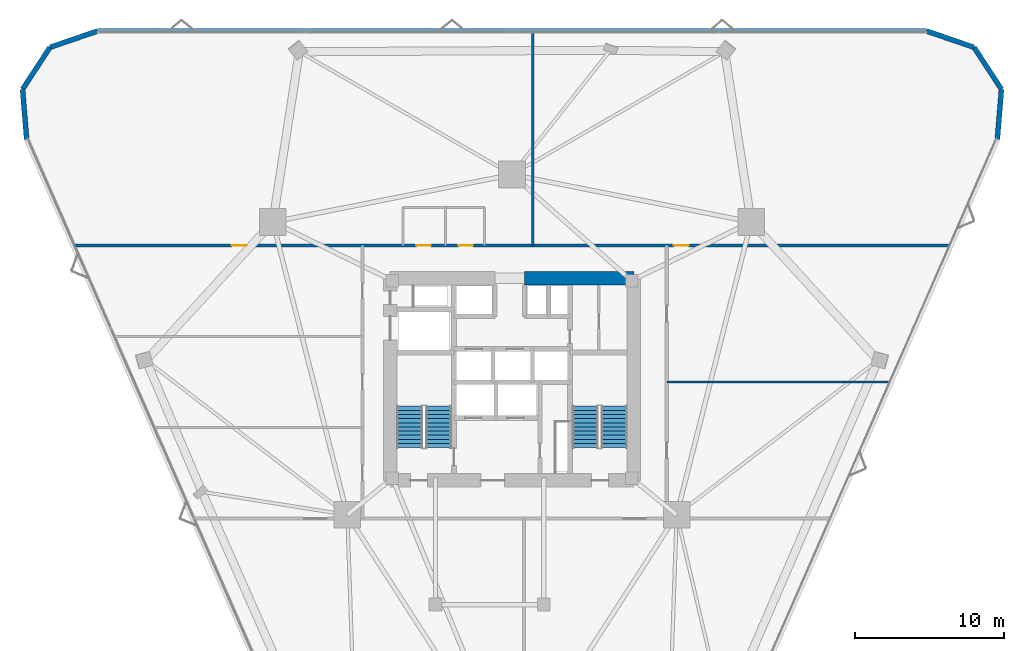
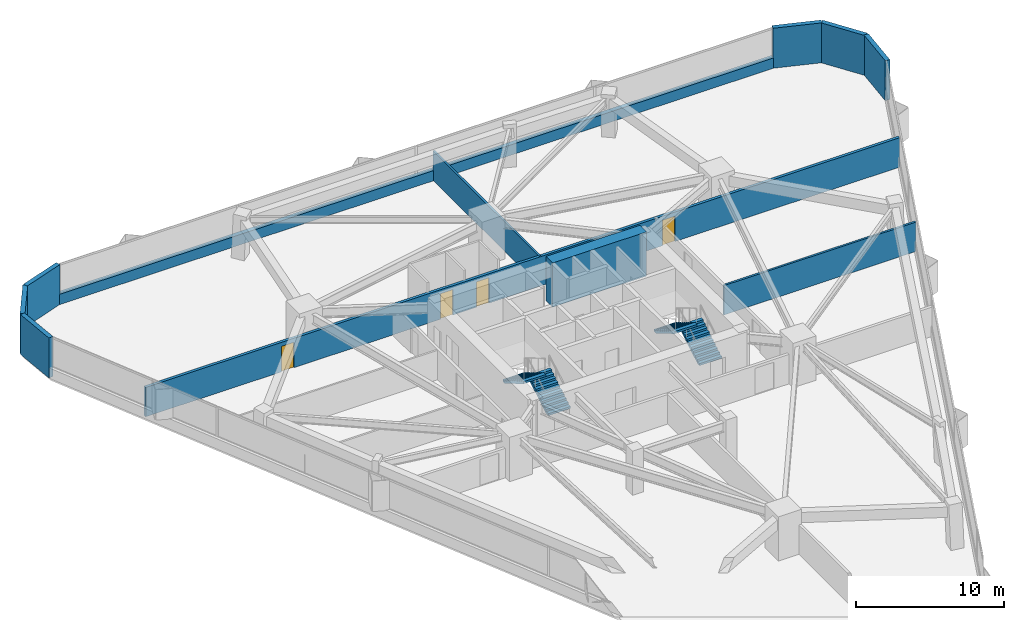
# One storey, part 19 of 20: 11 walls, 4 doors, 4 stair flights, 4 openings, 2 elements without a shape of their own.
"""IFC4 building model written with IfcOpenShell, lengths in metres."""

from ifc_helpers import new_model, si_unit, direction, frame, frame_2d, origin, place, context, subcontext, project, spatial, polyline, rectangle, outline, extrude, material, layer, layer_set, type_object, element, fill, aggregate, save


model = new_model("IFC4")

# Units and contexts
model_context = context("Model", 3, precision=1e-05, world=origin(), true_north=direction((0.0, 1.0)))
body_context = subcontext(model_context, "Body", "Model", "MODEL_VIEW")
ifc_project = project(units=[si_unit("LENGTHUNIT", "METRE"), si_unit("AREAUNIT", "SQUARE_METRE"), si_unit("VOLUMEUNIT", "CUBIC_METRE"), si_unit("PLANEANGLEUNIT", "RADIAN"), si_unit("MASSUNIT", "GRAM", prefix="KILO")], contexts=[model_context])

# Site, building, storey
site_placement = place(None, origin())
site = spatial("IfcSite", under=ifc_project, at=site_placement, CompositionType="ELEMENT")
building_placement = place(site_placement, origin())
building = spatial("IfcBuilding", under=site, at=building_placement, Name="Talyreon Biosciences Tower", CompositionType="ELEMENT")
storey_placement = place(building_placement, frame((0.0, 0.0, 62.949951171875)))
storey = spatial("IfcBuildingStorey", under=building, at=storey_placement, Name="L16", CompositionType="ELEMENT", Elevation=62.949951171875)

# Wall
ifc_material_1 = material(Name="Concrete C60/75", Category="concrete")
ifc_layer_1 = layer(ifc_material_1, 0.89990234375)
ifc_layer_set_1 = layer_set([ifc_layer_1], Name="Concrete C60/75")
wall_type_1 = type_object("IfcWallType", Name="CoreShearWall_900", PredefinedType="SHEAR", material=ifc_layer_set_1)
wall_1_placement = place(storey_placement, frame((74.199951171875, 74.800048828125, 0.0), z_axis=(0.0, 0.0, 1.0), x_axis=(-1.0, 0.0, 0.0)))
element("IfcWall", 1, at=wall_1_placement, inside=storey, type_object=wall_type_1, Name="L16 Core Shear Wall NE", PredefinedType="SHEAR", context=body_context, shape_type="SweptSolid", body=[
    extrude(rectangle(XDim=7.349853515625, YDim=0.89990234375, at=frame_2d((3.6748046875, 0.0))), origin(), (0.0, 0.0, 1.0), 3.650146484375),
])

# Wall, openings, doors
ifc_material_2 = material(Name="Gypsum fireboard acoustic stud", Category="gypsum")
ifc_layer_2 = layer(ifc_material_2, 0.219970703125)
ifc_layer_set_2 = layer_set([ifc_layer_2], Name="Gypsum fireboard acoustic stud")
wall_type_2 = type_object("IfcWallType", Name="CorridorRatedPartition_220", PredefinedType="PARTITIONING", material=ifc_layer_set_2)
wall_2_placement = place(storey_placement, frame((36.542724609375, 77.02001953125, 0.0), z_axis=(0.0, 0.0, 1.0), x_axis=(1.0, 0.0, 0.0)))
wall_2 = element("IfcWall", 2, at=wall_2_placement, inside=storey, type_object=wall_type_2, Name="L16 Interior Wall IW-L16-COR-N", PredefinedType="PARTITIONING", context=body_context, shape_type="SweptSolid", body=[
    extrude(rectangle(XDim=58.91455078125, YDim=0.219970703125, at=frame_2d((29.457275390625, 0.0))), origin(), (0.0, 0.0, 1.0), 2.429931640625),
])
opening_1_placement = place(wall_2_placement, frame((23.01708984375, 0.0, 0.0)))
opening_1 = element("IfcOpeningElement", 3, at=opening_1_placement, cuts=wall_2, Name="Opening DR-L16-WC", PredefinedType="OPENING", context=body_context, shape_type="SweptSolid", body=[
    extrude(rectangle(XDim=0.97998046875, YDim=2.10009765625, at=frame_2d((0.489990234375, 1.050048828125))), frame((0.0, 0.119873046875, 0.0), z_axis=(0.0, -1.0, 0.0), x_axis=(1.0, 0.0, 0.0)), (0.0, 0.0, 1.0), 0.239990234375),
])
opening_2_placement = place(wall_2_placement, frame((25.842041015625, 0.0, 0.0)))
opening_2 = element("IfcOpeningElement", 4, at=opening_2_placement, cuts=wall_2, Name="Opening DR-L16-AWC", PredefinedType="OPENING", context=body_context, shape_type="SweptSolid", body=[
    extrude(rectangle(XDim=0.97998046875, YDim=2.10009765625, at=frame_2d((0.489990234375, 1.050048828125))), frame((0.0, 0.119873046875, 0.0), z_axis=(0.0, -1.0, 0.0), x_axis=(1.0, 0.0, 0.0)), (0.0, 0.0, 1.0), 0.239990234375),
])
opening_3_placement = place(wall_2_placement, frame((10.589111328125, 0.0, 0.0)))
opening_3 = element("IfcOpeningElement", 5, at=opening_3_placement, cuts=wall_2, Name="Opening DR-L16-N1A", PredefinedType="OPENING", context=body_context, shape_type="SweptSolid", body=[
    extrude(rectangle(XDim=1.0, YDim=2.10009765625, at=frame_2d((0.5, 1.050048828125))), frame((0.0, 0.119873046875, 0.0), z_axis=(0.0, -1.0, 0.0), x_axis=(1.0, 0.0, 0.0)), (0.0, 0.0, 1.0), 0.239990234375),
])
opening_4_placement = place(wall_2_placement, frame((40.35595703125, 0.0, 0.0)))
opening_4 = element("IfcOpeningElement", 6, at=opening_4_placement, cuts=wall_2, Name="Opening DR-L16-N2A", PredefinedType="OPENING", context=body_context, shape_type="SweptSolid", body=[
    extrude(rectangle(XDim=1.0, YDim=2.10009765625, at=frame_2d((0.5, 1.050048828125))), frame((0.0, 0.119873046875, 0.0), z_axis=(0.0, -1.0, 0.0), x_axis=(1.0, 0.0, 0.0)), (0.0, 0.0, 1.0), 0.239990234375),
])
ifc_material_3 = material(Name="Laminate moisture-resistant door", Category="wood")
door_type_1 = type_object("IfcDoorType", Name="AccessibleToiletDoor_980x2100", OperationType="NOTDEFINED", PredefinedType="DOOR", material=ifc_material_3)
door_1_placement = place(opening_1_placement, origin())
door_1 = element("IfcDoor", 7, at=door_1_placement, inside=storey, type_object=door_type_1, Name="L16 Interior Door DR-L16-WC", OperationType="SINGLE_SWING_LEFT", OverallHeight=2.10009765625, OverallWidth=0.97998046875, PredefinedType="DOOR", context=body_context, shape_type="SweptSolid", body=[
    extrude(rectangle(XDim=0.97998046875, YDim=2.10009765625, at=frame_2d((0.489990234375, 1.050048828125))), frame((0.0, 0.02490234375, 0.0), z_axis=(0.0, -1.0, 0.0), x_axis=(1.0, 0.0, 0.0)), (0.0, 0.0, 1.0), 0.050048828125),
])
fill(opening_1, door_1)
door_2_placement = place(opening_2_placement, origin())
door_2 = element("IfcDoor", 8, at=door_2_placement, inside=storey, type_object=door_type_1, Name="L16 Interior Door DR-L16-AWC", OperationType="SINGLE_SWING_LEFT", OverallHeight=2.10009765625, OverallWidth=0.97998046875, PredefinedType="DOOR", context=body_context, shape_type="SweptSolid", body=[
    extrude(rectangle(XDim=0.97998046875, YDim=2.10009765625, at=frame_2d((0.489990234375, 1.050048828125))), frame((0.0, 0.02490234375, 0.0), z_axis=(0.0, -1.0, 0.0), x_axis=(1.0, 0.0, 0.0)), (0.0, 0.0, 1.0), 0.050048828125),
])
fill(opening_2, door_2)
ifc_material_4 = material(Name="Acoustic oak veneer office door", Category="wood")
door_type_2 = type_object("IfcDoorType", Name="WriteupOfficeDoor_1000x2100", OperationType="NOTDEFINED", PredefinedType="DOOR", material=ifc_material_4)
door_3_placement = place(opening_3_placement, origin())
door_3 = element("IfcDoor", 9, at=door_3_placement, inside=storey, type_object=door_type_2, Name="L16 Interior Door DR-L16-N1A", OperationType="SINGLE_SWING_RIGHT", OverallHeight=2.10009765625, OverallWidth=1.0, PredefinedType="DOOR", context=body_context, shape_type="SweptSolid", body=[
    extrude(rectangle(XDim=1.0, YDim=2.10009765625, at=frame_2d((0.5, 1.050048828125))), frame((0.0, 0.02490234375, 0.0), z_axis=(0.0, -1.0, 0.0), x_axis=(1.0, 0.0, 0.0)), (0.0, 0.0, 1.0), 0.050048828125),
])
fill(opening_3, door_3)
door_4_placement = place(opening_4_placement, origin())
door_4 = element("IfcDoor", 10, at=door_4_placement, inside=storey, type_object=door_type_2, Name="L16 Interior Door DR-L16-N2A", OperationType="SINGLE_SWING_RIGHT", OverallHeight=2.10009765625, OverallWidth=1.0, PredefinedType="DOOR", context=body_context, shape_type="SweptSolid", body=[
    extrude(rectangle(XDim=1.0, YDim=2.10009765625, at=frame_2d((0.5, 1.050048828125))), frame((0.0, 0.02490234375, 0.0), z_axis=(0.0, -1.0, 0.0), x_axis=(1.0, 0.0, 0.0)), (0.0, 0.0, 1.0), 0.050048828125),
])
fill(opening_4, door_4)

# Walls
ifc_material_5 = material(Name="Gypsum acoustic stud partition", Category="gypsum")
ifc_layer_3 = layer(ifc_material_5, 0.159912109375)
ifc_layer_set_3 = layer_set([ifc_layer_3], Name="Gypsum acoustic stud partition")
wall_type_3 = type_object("IfcWallType", Name="LabSeparationPartition_160", PredefinedType="PARTITIONING", material=ifc_layer_set_3)
wall_3_placement = place(storey_placement, frame((67.39990234375, 77.02001953125, 0.0), z_axis=(0.0, 0.0, 1.0), x_axis=(0.0, 1.0, 0.0)))
element("IfcWall", 11, at=wall_3_placement, inside=storey, type_object=wall_type_3, Name="L16 Interior Wall IW-L16-NDIV1", PredefinedType="PARTITIONING", context=body_context, shape_type="SweptSolid", body=[
    extrude(rectangle(XDim=14.348876953125, YDim=0.159912109375, at=frame_2d((7.17431640625, 0.0))), origin(), (0.0, 0.0, 1.0), 2.429931640625),
])
wall_4_placement = place(storey_placement, frame((76.419921875, 67.824951171875, 0.0), z_axis=(0.0, 0.0, 1.0), x_axis=(1.0, 0.0, 0.0)))
element("IfcWall", 12, at=wall_4_placement, inside=storey, type_object=wall_type_3, Name="L16 Interior Wall IW-L16-EDIV1", PredefinedType="PARTITIONING", context=body_context, shape_type="SweptSolid", body=[
    extrude(rectangle(XDim=15.0126953125, YDim=0.159912109375, at=frame_2d((7.50634765625, 0.0))), origin(), (0.0, 0.0, 1.0), 2.429931640625),
])
ifc_material_6 = material(Name="Precast concrete C45/55", Category="concrete")
ifc_layer_4 = layer(ifc_material_6, 0.340087890625)
ifc_layer_set_4 = layer_set([ifc_layer_4], Name="Precast concrete C45/55")
wall_type_4 = type_object("IfcWallType", Name="PrecastConcreteSpandrelWall_340", PredefinedType="STANDARD", material=ifc_layer_set_4)
wall_5_placement = place(storey_placement, frame((33.32080078125, 84.168701171875, 0.0), z_axis=(0.0, 0.0, 1.0), x_axis=(-0.081866354697, 0.996643316322, 0.0)))
element("IfcWall", 13, at=wall_5_placement, inside=storey, type_object=wall_type_4, Name="L16 Rounded-Corner Concrete Pier 01", PredefinedType="STANDARD", context=body_context, shape_type="SweptSolid", body=[
    extrude(rectangle(XDim=3.375732421875, YDim=0.340087890625, at=frame_2d((1.68798828125, 0.0))), origin(), (0.0, 0.0, 1.0), 3.300048828125),
])
for number, where, z_axis, x_axis, name in (
    (14, (33.04443359375, 87.533203125, 0.0), (0.0, 0.0, 1.0), (0.547284438328, 0.836946679045, 0.0), "L16 Rounded-Corner Concrete Pier 02"),
    (15, (34.891845703125, 90.3583984375, 0.0), (0.0, 0.0, 1.0), (0.945876821371, 0.324525867678, 0.0), "L16 Rounded-Corner Concrete Pier 03"),
):
    element("IfcWall", number, at=place(storey_placement, frame(where, z_axis=z_axis, x_axis=x_axis)), inside=storey, type_object=wall_type_4, Name=name, PredefinedType="STANDARD", context=body_context, shape_type="SweptSolid", body=[
        extrude(rectangle(XDim=3.37548828125, YDim=0.340087890625, at=frame_2d((1.687744140625, 0.0))), origin(), (0.0, 0.0, 1.0), 3.300048828125),
    ])
wall_6_placement = place(storey_placement, frame((38.084716796875, 91.453857421875, 0.0), z_axis=(0.0, 0.0, 1.0), x_axis=(1.0, 0.0, 0.0)))
element("IfcWall", 16, at=wall_6_placement, inside=storey, type_object=wall_type_4, Name="L16 Expressed Concrete Sill Wall 04", PredefinedType="STANDARD", context=body_context, shape_type="SweptSolid", body=[
    extrude(rectangle(XDim=55.83056640625, YDim=0.340087890625, at=frame_2d((27.915283203125, 0.0))), origin(), (0.0, 0.0, 1.0), 0.85009765625),
])
for number, where, z_axis, x_axis, name in (
    (17, (93.915283203125, 91.453857421875, 0.0), (0.0, 0.0, 1.0), (0.945876821371, -0.324525867678, 0.0), "L16 Rounded-Corner Concrete Pier 05"),
    (18, (97.108154296875, 90.3583984375, 0.0), (0.0, 0.0, 1.0), (0.547284438328, -0.836946679045, 0.0), "L16 Rounded-Corner Concrete Pier 06"),
):
    element("IfcWall", number, at=place(storey_placement, frame(where, z_axis=z_axis, x_axis=x_axis)), inside=storey, type_object=wall_type_4, Name=name, PredefinedType="STANDARD", context=body_context, shape_type="SweptSolid", body=[
        extrude(rectangle(XDim=3.37548828125, YDim=0.340087890625, at=frame_2d((1.687744140625, 0.0))), origin(), (0.0, 0.0, 1.0), 3.300048828125),
    ])
wall_7_placement = place(storey_placement, frame((98.95556640625, 87.533203125, 0.0), z_axis=(0.0, 0.0, 1.0), x_axis=(-0.081866354697, -0.996643316322, 0.0)))
element("IfcWall", 19, at=wall_7_placement, inside=storey, type_object=wall_type_4, Name="L16 Rounded-Corner Concrete Pier 07", PredefinedType="STANDARD", context=body_context, shape_type="SweptSolid", body=[
    extrude(rectangle(XDim=3.375732421875, YDim=0.340087890625, at=frame_2d((1.68798828125, 0.0))), origin(), (0.0, 0.0, 1.0), 3.300048828125),
])

# Stair, stair flights
ifc_material_7 = material(Name="Concrete C40/50", Category="concrete")
stair_type = type_object("IfcStairType", Name="DoglegEscapeStair_3650", PredefinedType="HALF_TURN_STAIR", material=ifc_material_7)
stair_1_placement = place(storey_placement, origin())
stair_1 = element("IfcStair", 20, at=stair_1_placement, inside=storey, type_object=stair_type, Name="L16 Core Escape Stair 1", PredefinedType="HALF_TURN_STAIR")
stair_flight_type = type_object("IfcStairFlightType", Name="PrecastStairFlight_3650", PredefinedType="STRAIGHT", material=ifc_material_7)
stair_flight_1_placement = place(storey_placement, frame((61.06005859375, 63.39990234375, 0.0), z_axis=(0.0, 0.0, 1.0), x_axis=(0.0, 1.0, 0.0)))
stair_flight_1 = element("IfcStairFlight", 21, at=stair_flight_1_placement, type_object=stair_flight_type, Name="ST-1 flight 1", NumberOfRisers=11, NumberOfTreads=10, PredefinedType="STRAIGHT", RiserHeight=0.165909091, TreadLength=0.28, context=body_context, shape_type="SweptSolid", body=[
    extrude(outline(polyline([(0.0, 0.0), (0.0, 0.166015625), (0.280029296875, 0.166015625), (0.280029296875, 0.331787109375), (0.56005859375, 0.331787109375), (0.56005859375, 0.497802734375), (0.840087890625, 0.497802734375), (0.840087890625, 0.66357421875), (1.1201171875, 0.66357421875), (1.1201171875, 0.82958984375), (1.39990234375, 0.82958984375), (1.39990234375, 0.995361328125), (1.679931640625, 0.995361328125), (1.679931640625, 1.161376953125), (1.9599609375, 1.161376953125), (1.9599609375, 1.327392578125), (2.239990234375, 1.327392578125), (2.239990234375, 1.4931640625), (2.52001953125, 1.4931640625), (2.52001953125, 1.6591796875), (2.800048828125, 1.6591796875), (2.800048828125, 1.824951171875), (2.800048828125, 1.48486328125), (0.2939453125, 0.0), (0.0, 0.0)])), frame((0.0, 0.8701171875, 0.0), z_axis=(0.0, -1.0, 0.0), x_axis=(1.0, 0.0, 0.0)), (0.0, 0.0, 1.0), 1.739990234375),
])
stair_flight_2_placement = place(storey_placement, frame((59.1201171875, 66.199951171875, 1.824951171875), z_axis=(0.0, 0.0, 1.0), x_axis=(0.0, -1.0, 0.0)))
stair_flight_2 = element("IfcStairFlight", 22, at=stair_flight_2_placement, type_object=stair_flight_type, Name="ST-1 flight 2", NumberOfRisers=11, NumberOfTreads=10, PredefinedType="STRAIGHT", RiserHeight=0.165909091, TreadLength=0.28, context=body_context, shape_type="SweptSolid", body=[
    extrude(outline(polyline([(0.0, 0.0), (0.0, 0.166015625), (0.280029296875, 0.166015625), (0.280029296875, 0.331787109375), (0.56005859375, 0.331787109375), (0.56005859375, 0.497802734375), (0.840087890625, 0.497802734375), (0.840087890625, 0.66357421875), (1.1201171875, 0.66357421875), (1.1201171875, 0.82958984375), (1.39990234375, 0.82958984375), (1.39990234375, 0.995361328125), (1.679931640625, 0.995361328125), (1.679931640625, 1.161376953125), (1.9599609375, 1.161376953125), (1.9599609375, 1.327392578125), (2.239990234375, 1.327392578125), (2.239990234375, 1.4931640625), (2.52001953125, 1.4931640625), (2.52001953125, 1.6591796875), (2.800048828125, 1.6591796875), (2.800048828125, 1.824951171875), (2.800048828125, 1.48486328125), (0.2939453125, 0.0), (0.0, 0.0)])), frame((0.0, 0.8701171875, 0.0), z_axis=(0.0, -1.0, 0.0), x_axis=(1.0, 0.0, 0.0)), (0.0, 0.0, 1.0), 1.739990234375),
])
aggregate(stair_1, [stair_flight_1, stair_flight_2])

stair_2_placement = place(storey_placement, origin())
stair_2 = element("IfcStair", 23, at=stair_2_placement, inside=storey, type_object=stair_type, Name="L16 Core Escape Stair 2", PredefinedType="HALF_TURN_STAIR")
stair_flight_3_placement = place(storey_placement, frame((72.8798828125, 63.39990234375, 0.0), z_axis=(0.0, 0.0, 1.0), x_axis=(0.0, 1.0, 0.0)))
stair_flight_3 = element("IfcStairFlight", 24, at=stair_flight_3_placement, type_object=stair_flight_type, Name="ST-2 flight 1", NumberOfRisers=11, NumberOfTreads=10, PredefinedType="STRAIGHT", RiserHeight=0.165909091, TreadLength=0.28, context=body_context, shape_type="SweptSolid", body=[
    extrude(outline(polyline([(0.0, 0.0), (0.0, 0.166015625), (0.280029296875, 0.166015625), (0.280029296875, 0.331787109375), (0.56005859375, 0.331787109375), (0.56005859375, 0.497802734375), (0.840087890625, 0.497802734375), (0.840087890625, 0.66357421875), (1.1201171875, 0.66357421875), (1.1201171875, 0.82958984375), (1.39990234375, 0.82958984375), (1.39990234375, 0.995361328125), (1.679931640625, 0.995361328125), (1.679931640625, 1.161376953125), (1.9599609375, 1.161376953125), (1.9599609375, 1.327392578125), (2.239990234375, 1.327392578125), (2.239990234375, 1.4931640625), (2.52001953125, 1.4931640625), (2.52001953125, 1.6591796875), (2.800048828125, 1.6591796875), (2.800048828125, 1.824951171875), (2.800048828125, 1.48486328125), (0.2939453125, 0.0), (0.0, 0.0)])), frame((0.0, 0.8701171875, 0.0), z_axis=(0.0, -1.0, 0.0), x_axis=(1.0, 0.0, 0.0)), (0.0, 0.0, 1.0), 1.739990234375),
])
stair_flight_4_placement = place(storey_placement, frame((70.93994140625, 66.199951171875, 1.824951171875), z_axis=(0.0, 0.0, 1.0), x_axis=(0.0, -1.0, 0.0)))
stair_flight_4 = element("IfcStairFlight", 25, at=stair_flight_4_placement, type_object=stair_flight_type, Name="ST-2 flight 2", NumberOfRisers=11, NumberOfTreads=10, PredefinedType="STRAIGHT", RiserHeight=0.165909091, TreadLength=0.28, context=body_context, shape_type="SweptSolid", body=[
    extrude(outline(polyline([(0.0, 0.0), (0.0, 0.166015625), (0.280029296875, 0.166015625), (0.280029296875, 0.331787109375), (0.56005859375, 0.331787109375), (0.56005859375, 0.497802734375), (0.840087890625, 0.497802734375), (0.840087890625, 0.66357421875), (1.1201171875, 0.66357421875), (1.1201171875, 0.82958984375), (1.39990234375, 0.82958984375), (1.39990234375, 0.995361328125), (1.679931640625, 0.995361328125), (1.679931640625, 1.161376953125), (1.9599609375, 1.161376953125), (1.9599609375, 1.327392578125), (2.239990234375, 1.327392578125), (2.239990234375, 1.4931640625), (2.52001953125, 1.4931640625), (2.52001953125, 1.6591796875), (2.800048828125, 1.6591796875), (2.800048828125, 1.824951171875), (2.800048828125, 1.48486328125), (0.2939453125, 0.0), (0.0, 0.0)])), frame((0.0, 0.8701171875, 0.0), z_axis=(0.0, -1.0, 0.0), x_axis=(1.0, 0.0, 0.0)), (0.0, 0.0, 1.0), 1.739990234375),
])
aggregate(stair_2, [stair_flight_3, stair_flight_4])

save(model, "model.ifc")
